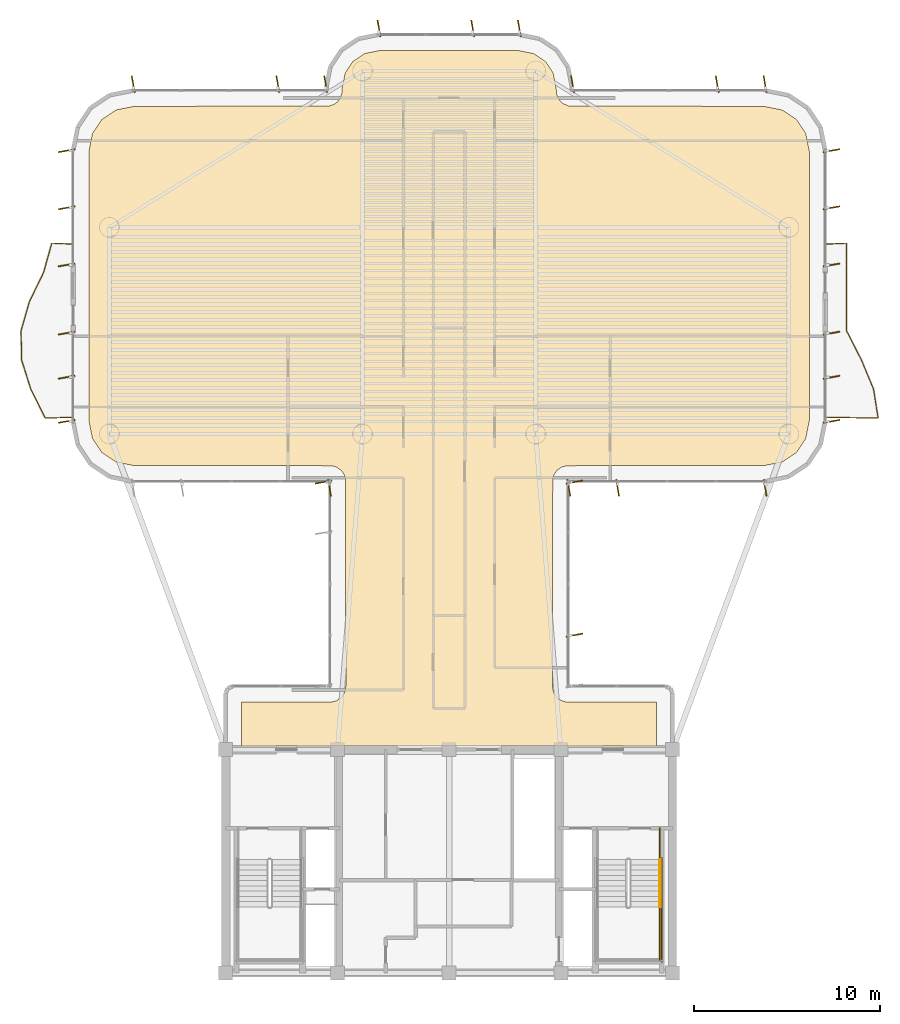
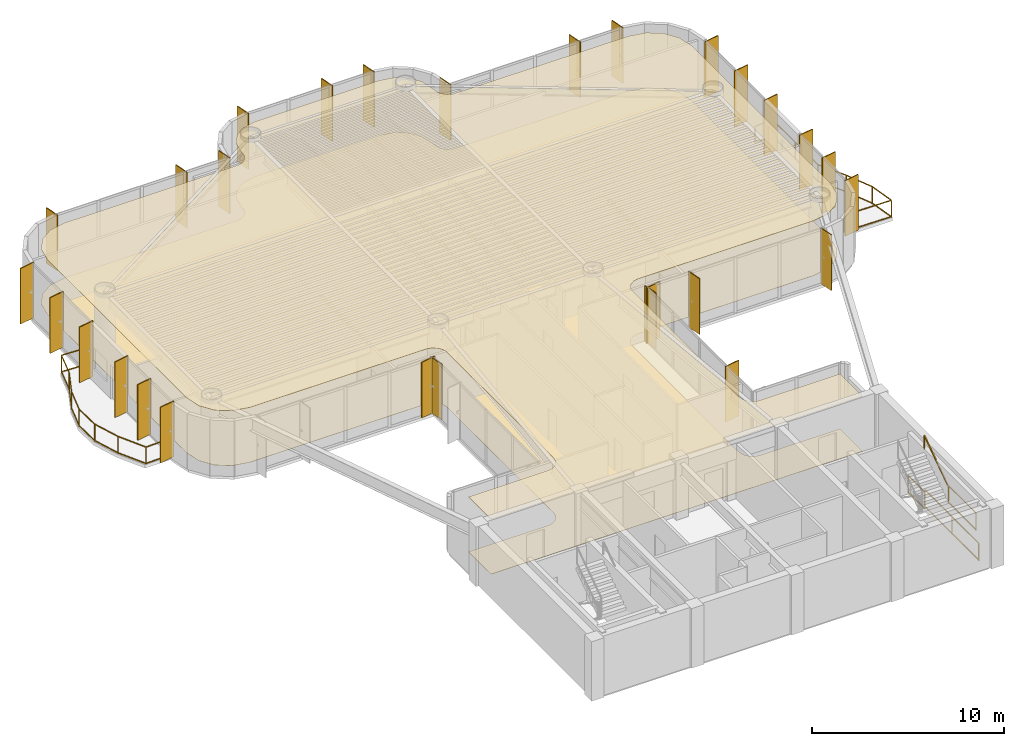
# One storey, part 14 of 14: 28 shading devices, 6 railings, 2 coverings.
"""IFC4 building model written with IfcOpenShell, lengths in metres."""

from ifc_helpers import new_model, si_unit, direction, frame, origin, origin_2d, place, context, subcontext, project, spatial, polyline, rectangle, outline, extrude, source, transform, mapped, material, layer, layer_set, material_profile, profile_set, type_object, element, save


model = new_model("IFC4")

# Units and contexts
model_context = context("Model", 3, precision=1e-05, world=origin(), true_north=direction((0.0, 1.0)))
body_context = subcontext(model_context, "Body", "Model", "MODEL_VIEW")
ifc_project = project(units=[si_unit("LENGTHUNIT", "METRE"), si_unit("AREAUNIT", "SQUARE_METRE"), si_unit("VOLUMEUNIT", "CUBIC_METRE"), si_unit("PLANEANGLEUNIT", "RADIAN"), si_unit("MASSUNIT", "GRAM", prefix="KILO")], contexts=[model_context])

# Site, building, storey
site_placement = place(None, origin())
site = spatial("IfcSite", under=ifc_project, at=site_placement, CompositionType="ELEMENT")
building_placement = place(site_placement, origin())
building = spatial("IfcBuilding", under=site, at=building_placement, Name="Brelvock Crest Care Tower", CompositionType="ELEMENT")
storey_placement = place(building_placement, frame((0.0, 0.0, 175.320068359375)))
storey = spatial("IfcBuildingStorey", under=building, at=storey_placement, Name="L44", CompositionType="ELEMENT", Elevation=175.320068359375)

# Coverings
ifc_material_1 = material(Name="Mineral Fibre Acoustic Ceiling Tile", Category="gypsum")
ifc_layer_1 = layer(ifc_material_1, 0.02490234375, Name="COV-CLG1")
ifc_layer_set_1 = layer_set([ifc_layer_1], Name="Mineral Fibre Acoustic Ceiling Tile")
covering_type_1 = type_object("IfcCoveringType", Name="COV-CLG1", PredefinedType="CEILING", material=ifc_layer_set_1)
covering_1_placement = place(storey_placement, frame((0.0, 0.0, 3.474853515625)))
element("IfcCovering", 1, at=covering_1_placement, inside=storey, type_object=covering_type_1, Name="L44 Acoustic Suspended Ceiling 1", PredefinedType="CEILING", context=body_context, shape_type="SweptSolid", body=[
    extrude(outline(polyline([(24.85009765625, 18.199951171875), (47.14990234375, 18.199951171875), (47.14990234375, 20.550048828125), (42.316650390625, 20.55419921875), (42.1533203125, 20.586669921875), (41.927734375, 20.693359375), (41.742919921875, 20.86083984375), (41.61474609375, 21.07470703125), (41.550048828125, 21.39990234375), (41.56640625, 32.56591796875), (41.650390625, 32.80078125), (41.799072265625, 33.0009765625), (42.07470703125, 33.185302734375), (42.316650390625, 33.245849609375), (52.916259765625, 33.25), (53.892822265625, 33.4443359375), (54.64990234375, 33.9501953125), (55.15576171875, 34.70703125), (55.35009765625, 35.68359375), (55.35009765625, 50.1162109375), (55.15576171875, 51.093017578125), (54.64990234375, 51.849853515625), (53.892822265625, 52.355712890625), (52.916259765625, 52.550048828125), (42.43408203125, 52.56640625), (42.127685546875, 52.693359375), (41.9990234375, 52.799072265625), (41.850341796875, 52.999267578125), (41.766357421875, 53.234130859375), (41.75, 53.516357421875), (41.586181640625, 54.33984375), (41.1669921875, 54.967041015625), (40.539794921875, 55.38623046875), (39.71630859375, 55.550048828125), (32.28369140625, 55.550048828125), (31.460205078125, 55.38623046875), (30.8330078125, 54.967041015625), (30.413818359375, 54.33984375), (30.25, 53.516357421875), (30.233642578125, 53.234130859375), (30.149658203125, 52.999267578125), (30.0009765625, 52.799072265625), (29.872314453125, 52.693359375), (29.56591796875, 52.56640625), (19.083740234375, 52.550048828125), (18.107177734375, 52.355712890625), (17.35009765625, 51.849853515625), (16.84423828125, 51.093017578125), (16.64990234375, 50.1162109375), (16.64990234375, 35.68359375), (16.84423828125, 34.70703125), (17.35009765625, 33.9501953125), (18.107177734375, 33.4443359375), (19.083740234375, 33.25), (29.683349609375, 33.245849609375), (29.92529296875, 33.185302734375), (30.200927734375, 33.0009765625), (30.349609375, 32.80078125), (30.43359375, 32.56591796875), (30.449951171875, 21.39990234375), (30.38525390625, 21.07470703125), (30.257080078125, 20.86083984375), (30.13916015625, 20.742919921875), (29.92529296875, 20.61474609375), (29.683349609375, 20.55419921875), (24.85009765625, 20.550048828125), (24.85009765625, 18.199951171875)])), origin(), (0.0, 0.0, 1.0), 0.025146484375),
])
ifc_material_2 = material(Name="Slip-Resistant Acoustic Vinyl Flooring", Category="finish")
ifc_layer_2 = layer(ifc_material_2, 0.014892578125, Name="COV-FLR1")
ifc_layer_set_2 = layer_set([ifc_layer_2], Name="Slip-Resistant Acoustic Vinyl Flooring")
covering_type_2 = type_object("IfcCoveringType", Name="COV-FLR1", PredefinedType="FLOORING", material=ifc_layer_set_2)
covering_2_placement = place(storey_placement, origin())
element("IfcCovering", 2, at=covering_2_placement, inside=storey, type_object=covering_type_2, Name="L44 Slip-Resistant Acoustic Flooring 1", PredefinedType="FLOORING", context=body_context, shape_type="SweptSolid", body=[
    extrude(outline(polyline([(24.85009765625, 18.199951171875), (47.14990234375, 18.199951171875), (47.14990234375, 20.550048828125), (42.316650390625, 20.55419921875), (42.1533203125, 20.586669921875), (41.927734375, 20.693359375), (41.742919921875, 20.86083984375), (41.61474609375, 21.07470703125), (41.550048828125, 21.39990234375), (41.56640625, 32.56591796875), (41.650390625, 32.80078125), (41.799072265625, 33.0009765625), (42.07470703125, 33.185302734375), (42.316650390625, 33.245849609375), (52.916259765625, 33.25), (53.892822265625, 33.4443359375), (54.64990234375, 33.9501953125), (55.15576171875, 34.70703125), (55.35009765625, 35.68359375), (55.35009765625, 50.1162109375), (55.15576171875, 51.093017578125), (54.64990234375, 51.849853515625), (53.892822265625, 52.355712890625), (52.916259765625, 52.550048828125), (42.43408203125, 52.56640625), (42.127685546875, 52.693359375), (41.9990234375, 52.799072265625), (41.850341796875, 52.999267578125), (41.766357421875, 53.234130859375), (41.75, 53.516357421875), (41.586181640625, 54.33984375), (41.1669921875, 54.967041015625), (40.539794921875, 55.38623046875), (39.71630859375, 55.550048828125), (32.28369140625, 55.550048828125), (31.460205078125, 55.38623046875), (30.8330078125, 54.967041015625), (30.413818359375, 54.33984375), (30.25, 53.516357421875), (30.233642578125, 53.234130859375), (30.149658203125, 52.999267578125), (30.0009765625, 52.799072265625), (29.872314453125, 52.693359375), (29.56591796875, 52.56640625), (19.083740234375, 52.550048828125), (18.107177734375, 52.355712890625), (17.35009765625, 51.849853515625), (16.84423828125, 51.093017578125), (16.64990234375, 50.1162109375), (16.64990234375, 35.68359375), (16.84423828125, 34.70703125), (17.35009765625, 33.9501953125), (18.107177734375, 33.4443359375), (19.083740234375, 33.25), (29.683349609375, 33.245849609375), (29.92529296875, 33.185302734375), (30.200927734375, 33.0009765625), (30.349609375, 32.80078125), (30.43359375, 32.56591796875), (30.449951171875, 21.39990234375), (30.38525390625, 21.07470703125), (30.257080078125, 20.86083984375), (30.13916015625, 20.742919921875), (29.92529296875, 20.61474609375), (29.683349609375, 20.55419921875), (24.85009765625, 20.550048828125), (24.85009765625, 18.199951171875)])), origin(), (0.0, 0.0, 1.0), 0.014892578125),
])

# Railings
ifc_material_3 = material(Name="Dark Glass Double Glazed Low-E", Category="glass")
ifc_layer_3 = layer(ifc_material_3, 0.06005859375, Name="RL-BAL1")
ifc_layer_set_3 = layer_set([ifc_layer_3], Name="Dark Glass Double Glazed Low-E")
railing_type_1 = type_object("IfcRailingType", Name="RL-BAL1", PredefinedType="BALUSTRADE", material=ifc_layer_set_3)
railing_1_placement = place(storey_placement, frame((15.760009765625, 35.85009765625, 0.00390625)))
element("IfcRailing", 3, at=railing_1_placement, inside=storey, type_object=railing_type_1, Name="L44 Safety Balustrade WB-W", PredefinedType="BALUSTRADE", context=body_context, shape_type="SweptSolid", body=[
    extrude(rectangle(XDim=0.048095703125, YDim=0.048095703125, at=origin_2d()), frame((-0.001953125, 0.0, 1.09619140625), z_axis=(-0.999404799616, -0.034497050669, 0.0), x_axis=(0.034497050669, -0.999404799616, 0.0)), (0.0, 0.0, 1.0), 1.44677734375),
    extrude(rectangle(XDim=0.048095703125, YDim=0.048095703125, at=origin_2d()), frame((-0.001953125, 0.0, 0.054931640625), z_axis=(-0.999404799616, -0.034497050669, 0.0), x_axis=(0.034497050669, -0.999404799616, 0.0)), (0.0, 0.0, 1.0), 1.44677734375),
    extrude(rectangle(XDim=0.048095703125, YDim=0.048095703125, at=origin_2d()), frame((-1.450927734375, -0.04833984375, 1.09619140625), z_axis=(-0.44525902638, 0.895401808925, 0.0), x_axis=(-0.895401808925, -0.44525902638, 0.0)), (0.0, 0.0, 1.0), 1.74560546875),
    extrude(rectangle(XDim=0.048095703125, YDim=0.048095703125, at=origin_2d()), frame((-1.450927734375, -0.04833984375, 0.054931640625), z_axis=(-0.44525902638, 0.895401808925, 0.0), x_axis=(-0.895401808925, -0.44525902638, 0.0)), (0.0, 0.0, 1.0), 1.74560546875),
    extrude(rectangle(XDim=0.048095703125, YDim=0.048095703125, at=origin_2d()), frame((-2.2294921875, 1.5185546875, 1.09619140625), z_axis=(-0.300533785951, 0.95377116936, 0.0), x_axis=(-0.95377116936, -0.300533785951, 0.0)), (0.0, 0.0, 1.0), 1.638671875),
    extrude(rectangle(XDim=0.048095703125, YDim=0.048095703125, at=origin_2d()), frame((-2.2294921875, 1.5185546875, 0.054931640625), z_axis=(-0.300533785951, 0.95377116936, 0.0), x_axis=(-0.95377116936, -0.300533785951, 0.0)), (0.0, 0.0, 1.0), 1.638671875),
    extrude(rectangle(XDim=0.048095703125, YDim=0.048095703125, at=origin_2d()), frame((-2.72265625, 3.085205078125, 1.09619140625), z_axis=(-0.016983680628, 0.999855766895, 0.0), x_axis=(-0.999855766895, -0.016983680628, 0.0)), (0.0, 0.0, 1.0), 1.56298828125),
    extrude(rectangle(XDim=0.048095703125, YDim=0.048095703125, at=origin_2d()), frame((-2.72265625, 3.085205078125, 0.054931640625), z_axis=(-0.016983680628, 0.999855766895, 0.0), x_axis=(-0.999855766895, -0.016983680628, 0.0)), (0.0, 0.0, 1.0), 1.56298828125),
    extrude(rectangle(XDim=0.048095703125, YDim=0.048095703125, at=origin_2d()), frame((-2.748779296875, 4.65185546875, 1.09619140625), z_axis=(0.275907910991, 0.961184074282, 0.0), x_axis=(-0.961184074282, 0.275907910991, 0.0)), (0.0, 0.0, 1.0), 1.6259765625),
    extrude(rectangle(XDim=0.048095703125, YDim=0.048095703125, at=origin_2d()), frame((-2.748779296875, 4.65185546875, 0.054931640625), z_axis=(0.275907910991, 0.961184074282, 0.0), x_axis=(-0.961184074282, 0.275907910991, 0.0)), (0.0, 0.0, 1.0), 1.6259765625),
    extrude(rectangle(XDim=0.048095703125, YDim=0.048095703125, at=origin_2d()), frame((-2.298583984375, 6.21826171875, 1.09619140625), z_axis=(0.437036809921, 0.899443620675, 0.0), x_axis=(-0.899443620675, 0.437036809921, 0.0)), (0.0, 0.0, 1.0), 1.73779296875),
    extrude(rectangle(XDim=0.048095703125, YDim=0.048095703125, at=origin_2d()), frame((-2.298583984375, 6.21826171875, 0.054931640625), z_axis=(0.437036809921, 0.899443620675, 0.0), x_axis=(-0.899443620675, 0.437036809921, 0.0)), (0.0, 0.0, 1.0), 1.73779296875),
    extrude(rectangle(XDim=0.048095703125, YDim=0.048095703125, at=origin_2d()), frame((-1.537841796875, 7.78515625, 1.09619140625), z_axis=(0.269384986944, 0.963032568924, 0.0), x_axis=(-0.963032568924, 0.269384986944, 0.0)), (0.0, 0.0, 1.0), 1.622802734375),
    extrude(rectangle(XDim=0.048095703125, YDim=0.048095703125, at=origin_2d()), frame((-1.537841796875, 7.78515625, 0.054931640625), z_axis=(0.269384986944, 0.963032568924, 0.0), x_axis=(-0.963032568924, 0.269384986944, 0.0)), (0.0, 0.0, 1.0), 1.622802734375),
    extrude(rectangle(XDim=0.048095703125, YDim=0.048095703125, at=origin_2d()), frame((-1.09814453125, 9.349853515625, 1.09619140625), z_axis=(0.998966710972, -0.045447886318, 0.0), x_axis=(0.045447886318, 0.998966710972, 0.0)), (0.0, 0.0, 1.0), 1.09716796875),
    extrude(rectangle(XDim=0.048095703125, YDim=0.048095703125, at=origin_2d()), frame((-1.09814453125, 9.349853515625, 0.054931640625), z_axis=(0.998966710972, -0.045447886318, 0.0), x_axis=(0.045447886318, 0.998966710972, 0.0)), (0.0, 0.0, 1.0), 1.09716796875),
    extrude(rectangle(XDim=0.0419921875, YDim=0.0419921875, at=origin_2d()), origin(), (0.0, 0.0, 1.0), 1.070068359375),
    extrude(rectangle(XDim=0.0419921875, YDim=0.0419921875, at=origin_2d()), frame((-1.449951171875, -0.050048828125, 0.0)), (0.0, 0.0, 1.0), 1.070068359375),
    extrude(rectangle(XDim=0.0419921875, YDim=0.0419921875, at=origin_2d()), frame((-2.22900390625, 1.5166015625, 0.0)), (0.0, 0.0, 1.0), 1.070068359375),
    extrude(rectangle(XDim=0.0419921875, YDim=0.0419921875, at=origin_2d()), frame((-2.72265625, 3.083251953125, 0.0)), (0.0, 0.0, 1.0), 1.070068359375),
    extrude(rectangle(XDim=0.0419921875, YDim=0.0419921875, at=origin_2d()), frame((-2.749267578125, 4.64990234375, 0.0)), (0.0, 0.0, 1.0), 1.070068359375),
    extrude(rectangle(XDim=0.0419921875, YDim=0.0419921875, at=origin_2d()), frame((-2.299560546875, 6.216552734375, 0.0)), (0.0, 0.0, 1.0), 1.070068359375),
    extrude(rectangle(XDim=0.0419921875, YDim=0.0419921875, at=origin_2d()), frame((-1.538330078125, 7.783203125, 0.0)), (0.0, 0.0, 1.0), 1.070068359375),
    extrude(rectangle(XDim=0.0419921875, YDim=0.0419921875, at=origin_2d()), frame((-1.10009765625, 9.349853515625, 0.0)), (0.0, 0.0, 1.0), 1.070068359375),
    extrude(rectangle(XDim=0.0419921875, YDim=0.0419921875, at=origin_2d()), frame((0.0, 9.2998046875, 0.0)), (0.0, 0.0, 1.0), 1.070068359375),
])
railing_2_placement = place(storey_placement, frame((56.239990234375, 35.85009765625, 0.00390625)))
element("IfcRailing", 4, at=railing_2_placement, inside=storey, type_object=railing_type_1, Name="L44 Safety Balustrade WB-E", PredefinedType="BALUSTRADE", context=body_context, shape_type="SweptSolid", body=[
    extrude(rectangle(XDim=0.048095703125, YDim=0.048095703125, at=origin_2d()), frame((0.001953125, 0.0, 1.09619140625), z_axis=(0.999840293507, -0.017871415134, 0.0), x_axis=(0.017871415134, 0.999840293507, 0.0)), (0.0, 0.0, 1.0), 2.79638671875),
    extrude(rectangle(XDim=0.048095703125, YDim=0.048095703125, at=origin_2d()), frame((0.001953125, 0.0, 0.054931640625), z_axis=(0.999840293507, -0.017871415134, 0.0), x_axis=(0.017871415134, 0.999840293507, 0.0)), (0.0, 0.0, 1.0), 2.79638671875),
    extrude(rectangle(XDim=0.048095703125, YDim=0.048095703125, at=origin_2d()), frame((2.7998046875, -0.048095703125, 1.09619140625), z_axis=(-0.156081137103, 0.987744237463, 0.0), x_axis=(-0.987744237463, -0.156081137103, 0.0)), (0.0, 0.0, 1.0), 1.58203125),
    extrude(rectangle(XDim=0.048095703125, YDim=0.048095703125, at=origin_2d()), frame((2.7998046875, -0.048095703125, 0.054931640625), z_axis=(-0.156081137103, 0.987744237463, 0.0), x_axis=(-0.987744237463, -0.156081137103, 0.0)), (0.0, 0.0, 1.0), 1.58203125),
    extrude(rectangle(XDim=0.048095703125, YDim=0.048095703125, at=origin_2d()), frame((2.5517578125, 1.5185546875, 1.09619140625), z_axis=(-0.384155606782, 0.923268362817, 0.0), x_axis=(-0.923268362817, -0.384155606782, 0.0)), (0.0, 0.0, 1.0), 1.69287109375),
    extrude(rectangle(XDim=0.048095703125, YDim=0.048095703125, at=origin_2d()), frame((2.5517578125, 1.5185546875, 0.054931640625), z_axis=(-0.384155606782, 0.923268362817, 0.0), x_axis=(-0.923268362817, -0.384155606782, 0.0)), (0.0, 0.0, 1.0), 1.69287109375),
    extrude(rectangle(XDim=0.048095703125, YDim=0.048095703125, at=origin_2d()), frame((1.899658203125, 3.0849609375, 1.09619140625), z_axis=(-0.455023036608, 0.890479666335, 0.0), x_axis=(-0.890479666335, -0.455023036608, 0.0)), (0.0, 0.0, 1.0), 1.75537109375),
    extrude(rectangle(XDim=0.048095703125, YDim=0.048095703125, at=origin_2d()), frame((1.899658203125, 3.0849609375, 0.054931640625), z_axis=(-0.455023036608, 0.890479666335, 0.0), x_axis=(-0.890479666335, -0.455023036608, 0.0)), (0.0, 0.0, 1.0), 1.75537109375),
    extrude(rectangle(XDim=0.048095703125, YDim=0.048095703125, at=origin_2d()), frame((1.10009765625, 4.65185546875, 1.09619140625), z_axis=(0.0, 1.0, 0.0), x_axis=(-1.0, 0.0, 0.0)), (0.0, 0.0, 1.0), 4.696044921875),
    extrude(rectangle(XDim=0.048095703125, YDim=0.048095703125, at=origin_2d()), frame((1.10009765625, 4.65185546875, 0.054931640625), z_axis=(0.0, 1.0, 0.0), x_axis=(-1.0, 0.0, 0.0)), (0.0, 0.0, 1.0), 4.696044921875),
    extrude(rectangle(XDim=0.048095703125, YDim=0.048095703125, at=origin_2d()), frame((1.09814453125, 9.349853515625, 1.09619140625), z_axis=(-0.998966710972, -0.045447886318, 0.0), x_axis=(0.045447886318, -0.998966710972, 0.0)), (0.0, 0.0, 1.0), 1.09716796875),
    extrude(rectangle(XDim=0.048095703125, YDim=0.048095703125, at=origin_2d()), frame((1.09814453125, 9.349853515625, 0.054931640625), z_axis=(-0.998966710972, -0.045447886318, 0.0), x_axis=(0.045447886318, -0.998966710972, 0.0)), (0.0, 0.0, 1.0), 1.09716796875),
    extrude(rectangle(XDim=0.0419921875, YDim=0.0419921875, at=origin_2d()), origin(), (0.0, 0.0, 1.0), 1.070068359375),
    extrude(rectangle(XDim=0.0419921875, YDim=0.0419921875, at=origin_2d()), frame((2.800048828125, -0.050048828125, 0.0)), (0.0, 0.0, 1.0), 1.070068359375),
    extrude(rectangle(XDim=0.0419921875, YDim=0.0419921875, at=origin_2d()), frame((2.552490234375, 1.5166015625, 0.0)), (0.0, 0.0, 1.0), 1.070068359375),
    extrude(rectangle(XDim=0.0419921875, YDim=0.0419921875, at=origin_2d()), frame((1.900634765625, 3.083251953125, 0.0)), (0.0, 0.0, 1.0), 1.070068359375),
    extrude(rectangle(XDim=0.0419921875, YDim=0.0419921875, at=origin_2d()), frame((1.10009765625, 4.64990234375, 0.0)), (0.0, 0.0, 1.0), 1.070068359375),
    extrude(rectangle(XDim=0.0419921875, YDim=0.0419921875, at=origin_2d()), frame((1.10009765625, 7.0, 0.0)), (0.0, 0.0, 1.0), 1.070068359375),
    extrude(rectangle(XDim=0.0419921875, YDim=0.0419921875, at=origin_2d()), frame((1.10009765625, 9.349853515625, 0.0)), (0.0, 0.0, 1.0), 1.070068359375),
    extrude(rectangle(XDim=0.0419921875, YDim=0.0419921875, at=origin_2d()), frame((0.0, 9.2998046875, 0.0)), (0.0, 0.0, 1.0), 1.070068359375),
])
ifc_material_4 = material(Name="Steel Grade 350", Category="steel")
ifc_layer_4 = layer(ifc_material_4, 0.050048828125, Name="RL-STG1")
ifc_layer_set_4 = layer_set([ifc_layer_4], Name="Steel Grade 350")
railing_type_2 = type_object("IfcRailingType", Name="RL-STG1", PredefinedType="GUARDRAIL", material=ifc_layer_set_4)
railing_3_placement = place(storey_placement, frame((47.320068359375, 9.56005859375, 1.889892578125)))
element("IfcRailing", 5, at=railing_3_placement, inside=storey, type_object=railing_type_2, Name="L44 ST-2 stair guard 4", PredefinedType="GUARDRAIL", context=body_context, shape_type="SweptSolid", body=[
    extrude(rectangle(XDim=0.048095703125, YDim=0.048095703125, at=origin_2d()), frame((0.0, -0.001953125, 1.11572265625), z_axis=(0.0, -1.0, 0.0), x_axis=(1.0, 0.0, 0.0)), (0.0, 0.0, 1.0), 2.856201171875),
    extrude(rectangle(XDim=0.048095703125, YDim=0.048095703125, at=origin_2d()), frame((0.0, -0.001953125, 0.054931640625), z_axis=(0.0, -1.0, 0.0), x_axis=(1.0, 0.0, 0.0)), (0.0, 0.0, 1.0), 2.856201171875),
    extrude(rectangle(XDim=0.0419921875, YDim=0.0419921875, at=origin_2d()), origin(), (0.0, 0.0, 1.0), 1.08984375),
    extrude(rectangle(XDim=0.0419921875, YDim=0.0419921875, at=origin_2d()), frame((0.0, -2.860107421875, 0.0)), (0.0, 0.0, 1.0), 1.08984375),
])
railing_4_placement = place(storey_placement, frame((47.320068359375, 13.780029296875, 0.0)))
element("IfcRailing", 6, at=railing_4_placement, inside=storey, type_object=railing_type_2, Name="L44 ST-2 stair guard 9", PredefinedType="GUARDRAIL", context=body_context, shape_type="SweptSolid", body=[
    extrude(rectangle(XDim=0.048095703125, YDim=0.048095703125, at=origin_2d()), frame((0.0, -0.001953125, 1.11572265625), z_axis=(0.0, -1.0, 0.0), x_axis=(1.0, 0.0, 0.0)), (0.0, 0.0, 1.0), 1.696044921875),
    extrude(rectangle(XDim=0.048095703125, YDim=0.048095703125, at=origin_2d()), frame((0.0, -0.001953125, 0.054931640625), z_axis=(0.0, -1.0, 0.0), x_axis=(1.0, 0.0, 0.0)), (0.0, 0.0, 1.0), 1.696044921875),
    extrude(rectangle(XDim=0.0419921875, YDim=0.0419921875, at=origin_2d()), origin(), (0.0, 0.0, 1.0), 1.08984375),
    extrude(rectangle(XDim=0.0419921875, YDim=0.0419921875, at=origin_2d()), frame((0.0, -1.699951171875, 0.0)), (0.0, 0.0, 1.0), 1.08984375),
])
railing_5_placement = place(storey_placement, frame((47.419921875, 12.179931640625, 0.0)))
element("IfcRailing", 7, at=railing_5_placement, inside=storey, type_object=railing_type_2, Name="L44 ST-2 stair guard 11", PredefinedType="GUARDRAIL", context=body_context, shape_type="SweptSolid", body=[
    extrude(rectangle(XDim=0.048095703125, YDim=0.048095703125, at=origin_2d()), frame((0.0, -0.001953125, 1.11572265625), z_axis=(0.0, -1.0, 0.0), x_axis=(1.0, 0.0, 0.0)), (0.0, 0.0, 1.0), 5.575927734375),
    extrude(rectangle(XDim=0.048095703125, YDim=0.048095703125, at=origin_2d()), frame((0.0, -0.001953125, 0.054931640625), z_axis=(0.0, -1.0, 0.0), x_axis=(1.0, 0.0, 0.0)), (0.0, 0.0, 1.0), 5.575927734375),
    extrude(rectangle(XDim=0.0419921875, YDim=0.0419921875, at=origin_2d()), origin(), (0.0, 0.0, 1.0), 1.08984375),
    extrude(rectangle(XDim=0.0419921875, YDim=0.0419921875, at=origin_2d()), frame((0.0, -2.7900390625, 0.0)), (0.0, 0.0, 1.0), 1.08984375),
    extrude(rectangle(XDim=0.0419921875, YDim=0.0419921875, at=origin_2d()), frame((0.0, -5.579833984375, 0.0)), (0.0, 0.0, 1.0), 1.08984375),
])
ifc_layer_5 = layer(ifc_material_4, 0.048095703125, Name="RL-STH1")
ifc_layer_set_5 = layer_set([ifc_layer_5], Name="Steel Grade 350")
railing_type_3 = type_object("IfcRailingType", Name="RL-STH1", PredefinedType="HANDRAIL", material=ifc_layer_set_5)
railing_6_placement = place(storey_placement, frame((47.320068359375, 9.56005859375, 2.078857421875)))
element("IfcRailing", 8, at=railing_6_placement, inside=storey, type_object=railing_type_3, Name="L44 ST-2 stair handrail 2", PredefinedType="HANDRAIL", context=body_context, shape_type="SweptSolid", body=[
    extrude(rectangle(XDim=0.048095703125, YDim=0.048095703125, at=origin_2d()), frame((0.0, 0.001708984375, 0.876953125), z_axis=(0.0, 0.82882447046, 0.559508710537), x_axis=(-1.0, 0.0, 0.0)), (0.0, 0.0, 1.0), 3.036376953125),
    extrude(rectangle(XDim=0.0419921875, YDim=0.0419921875, at=origin_2d()), origin(), (0.0, 0.0, 1.0), 0.849853515625),
    extrude(rectangle(XDim=0.0419921875, YDim=0.0419921875, at=origin_2d()), frame((0.0, 2.52001953125, 1.701171875)), (0.0, 0.0, 1.0), 0.849853515625),
])

# Shading devices
ifc_material_5 = material(Name="Aluminium 6063-T6", Category="aluminium")
ifc_material_profile = material_profile(ifc_material_5, rectangle(XDim=0.054931640625, YDim=0.89990234375, at=origin_2d()), Name="FIN55x900")
ifc_profile_set = profile_set([ifc_material_profile], Name="Aluminium 6063-T6")
shading_device_type = type_object("IfcShadingDeviceType", Name="SHD-FIN1", PredefinedType="USERDEFINED", material=ifc_profile_set)
shared_shape = source(origin(), body_context, "Body", "SweptSolid", [
    extrude(rectangle(XDim=0.054931640625, YDim=0.89990234375, at=origin_2d()), origin(), (0.0, 0.0, 1.0), 3.530029296875),
])
for number, where, z_axis, x_axis, name in (
    (9, (29.260009765625, 32.3701171875, 0.0), (0.0, 0.0, 1.0), (-0.173648177667, 0.984807753012, 0.0), "L44 Vertical Sunshade Fin E11-05"),
    (10, (29.570068359375, 32.06005859375, 0.0), (0.0, 0.0, 1.0), (-0.984807753012, -0.173648177667, 0.0), "L44 Vertical Sunshade Fin E12-01"),
    (11, (15.4599609375, 35.6298828125, 0.0), (0.0, 0.0, 1.0), (-0.173648177667, 0.984807753012, 0.0), "L44 Vertical Sunshade Fin E17A-01"),
    (12, (15.4599609375, 38.0, 0.0), (0.0, 0.0, 1.0), (-0.173648177667, 0.984807753012, 0.0), "L44 Vertical Sunshade Fin E17A-02"),
    (13, (15.4599609375, 40.3701171875, 0.0), (0.0, 0.0, 1.0), (-0.173648177667, 0.984807753012, 0.0), "L44 Vertical Sunshade Fin E17A-03"),
    (14, (15.4599609375, 44.030029296875, 0.0), (0.0, 0.0, 1.0), (-0.173648177667, 0.984807753012, 0.0), "L44 Vertical Sunshade Fin E17B-01"),
    (15, (15.4599609375, 47.10009765625, 0.0), (0.0, 0.0, 1.0), (-0.173648177667, 0.984807753012, 0.0), "L44 Vertical Sunshade Fin E17B-02"),
    (16, (15.4599609375, 50.169921875, 0.0), (0.0, 0.0, 1.0), (-0.173648177667, 0.984807753012, 0.0), "L44 Vertical Sunshade Fin E17B-03"),
    (17, (19.030029296875, 53.739990234375, 0.0), (0.0, 0.0, 1.0), (0.984807753012, 0.173648177667, 0.0), "L44 Vertical Sunshade Fin E22-01"),
    (18, (26.800048828125, 53.739990234375, 0.0), (0.0, 0.0, 1.0), (0.984807753012, 0.173648177667, 0.0), "L44 Vertical Sunshade Fin E22-04"),
    (19, (29.3701171875, 53.739990234375, 0.0), (0.0, 0.0, 1.0), (0.984807753012, 0.173648177667, 0.0), "L44 Vertical Sunshade Fin E22-05"),
    (20, (32.22998046875, 56.739990234375, 0.0), (0.0, 0.0, 1.0), (0.984807753012, 0.173648177667, 0.0), "L44 Vertical Sunshade Fin E28-01"),
    (21, (37.2666015625, 56.739990234375, 0.0), (0.0, 0.0, 1.0), (0.984807753012, 0.173648177667, 0.0), "L44 Vertical Sunshade Fin E28-03"),
    (22, (39.77001953125, 56.739990234375, 0.0), (0.0, 0.0, 1.0), (0.984807753012, 0.173648177667, 0.0), "L44 Vertical Sunshade Fin E28-04"),
    (23, (42.6298828125, 53.739990234375, 0.0), (0.0, 0.0, 1.0), (0.984807753012, 0.173648177667, 0.0), "L44 Vertical Sunshade Fin E34-01"),
    (24, (50.39990234375, 53.739990234375, 0.0), (0.0, 0.0, 1.0), (0.984807753012, 0.173648177667, 0.0), "L44 Vertical Sunshade Fin E34-04"),
    (25, (52.969970703125, 53.739990234375, 0.0), (0.0, 0.0, 1.0), (0.984807753012, 0.173648177667, 0.0), "L44 Vertical Sunshade Fin E34-05"),
    (26, (56.5400390625, 50.169921875, 0.0), (0.0, 0.0, 1.0), (0.173648177667, -0.984807753012, 0.0), "L44 Vertical Sunshade Fin E39A-01"),
    (27, (56.5400390625, 47.10009765625, 0.0), (0.0, 0.0, 1.0), (0.173648177667, -0.984807753012, 0.0), "L44 Vertical Sunshade Fin E39A-02"),
    (28, (56.5400390625, 44.030029296875, 0.0), (0.0, 0.0, 1.0), (0.173648177667, -0.984807753012, 0.0), "L44 Vertical Sunshade Fin E39A-03"),
    (29, (56.5400390625, 40.3701171875, 0.0), (0.0, 0.0, 1.0), (0.173648177667, -0.984807753012, 0.0), "L44 Vertical Sunshade Fin E39B-01"),
    (30, (56.5400390625, 38.0, 0.0), (0.0, 0.0, 1.0), (0.173648177667, -0.984807753012, 0.0), "L44 Vertical Sunshade Fin E39B-02"),
    (31, (56.5400390625, 35.6298828125, 0.0), (0.0, 0.0, 1.0), (0.173648177667, -0.984807753012, 0.0), "L44 Vertical Sunshade Fin E39B-03"),
    (32, (52.969970703125, 32.06005859375, 0.0), (0.0, 0.0, 1.0), (-0.984807753012, -0.173648177667, 0.0), "L44 Vertical Sunshade Fin E44-01"),
    (33, (45.050048828125, 32.06005859375, 0.0), (0.0, 0.0, 1.0), (-0.984807753012, -0.173648177667, 0.0), "L44 Vertical Sunshade Fin E44-04"),
    (34, (42.429931640625, 32.06005859375, 0.0), (0.0, 0.0, 1.0), (-0.984807753012, -0.173648177667, 0.0), "L44 Vertical Sunshade Fin E44-05"),
    (35, (42.739990234375, 32.3701171875, 0.0), (0.0, 0.0, 1.0), (0.173648177667, -0.984807753012, 0.0), "L44 Vertical Sunshade Fin E45-01"),
    (36, (42.739990234375, 24.14990234375, 0.0), (0.0, 0.0, 1.0), (0.173648177667, -0.984807753012, 0.0), "L44 Vertical Sunshade Fin E45-04"),
):
    element("IfcShadingDevice", number, at=place(storey_placement, frame(where, z_axis=z_axis, x_axis=x_axis)), inside=storey, type_object=shading_device_type, Name=name, ObjectType="FIN", PredefinedType="USERDEFINED", context=body_context, shape_type="MappedRepresentation", body=[
        mapped(shared_shape, transform((0.0, 0.0, 0.0), x_axis=(1.0, 0.0, 0.0), y_axis=(0.0, 1.0, 0.0), z_axis=(0.0, 0.0, 1.0), scale=1.0)),
    ])

save(model, "model.ifc")
